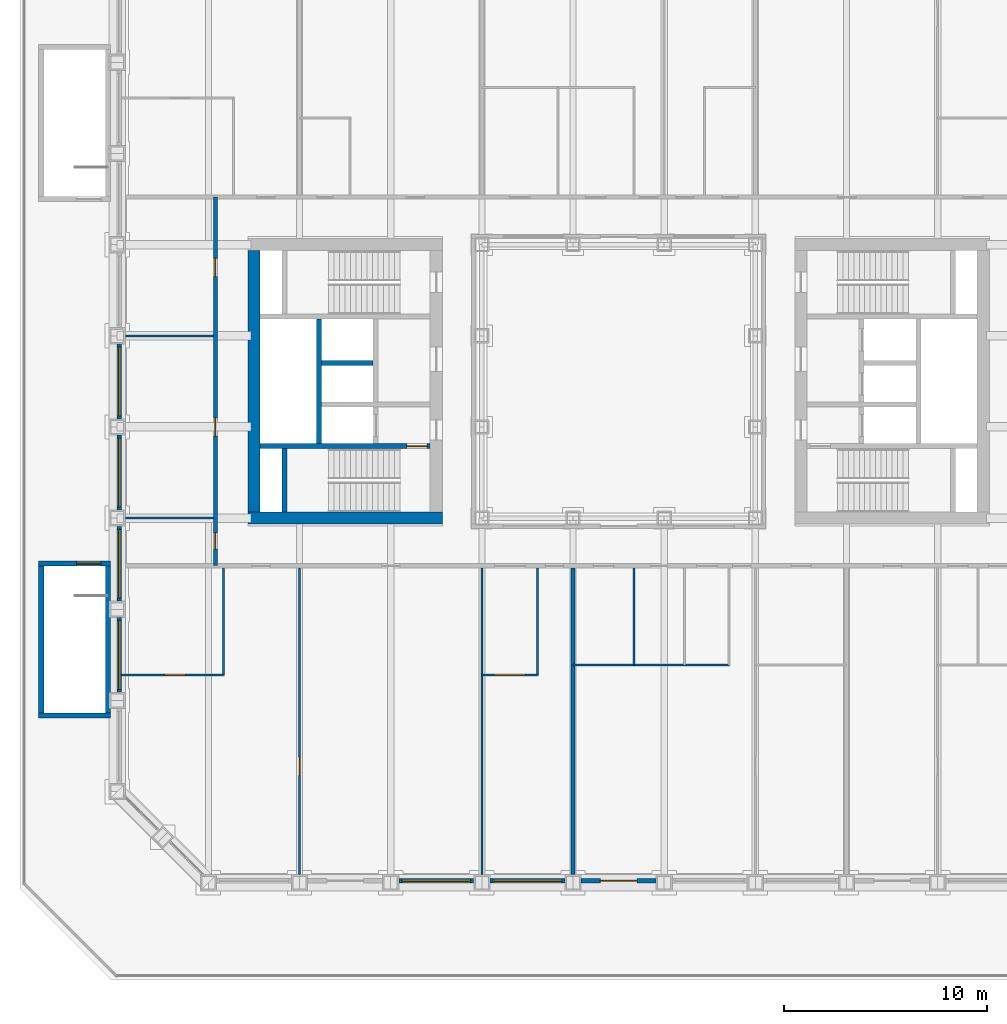
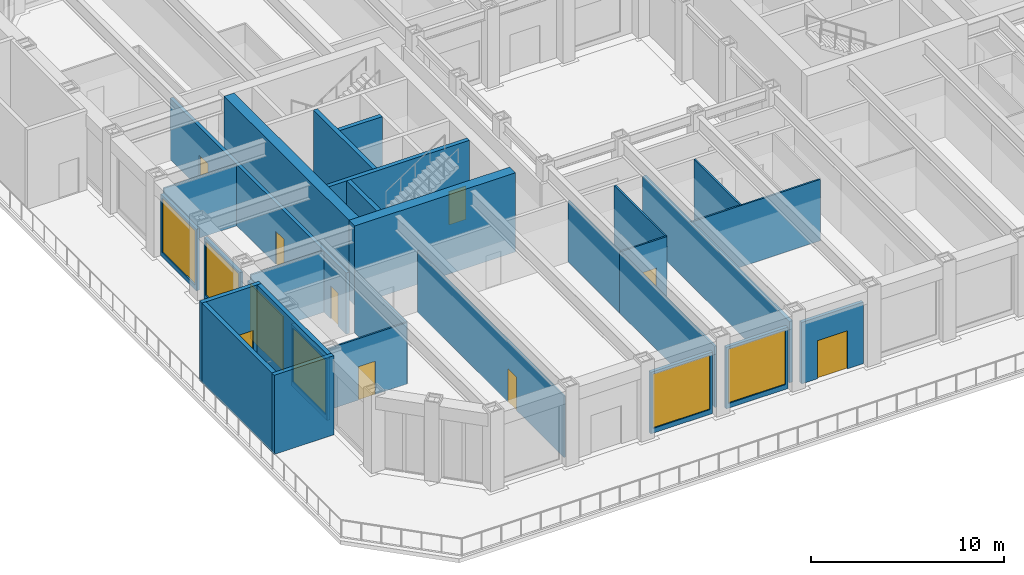
# One storey, part 9 of 18: 30 walls, 9 doors, 6 windows, 15 openings.
"""IFC4 building model written with IfcOpenShell, lengths in metres."""

import ifcopenshell
import ifcopenshell.guid

model = None  # the IFC model being written
_history = None  # IfcOwnerHistory: only IFC2X3 demands one
_inside = {}  # id of a spatial element -> (the spatial element, [elements in it])
_under = {}  # id of a project, library or spatial element -> (it, [spatial elements below it])
_declared = {}  # id of a project -> (the project, [libraries it declares])
_typed = {}  # id of a type object -> (the type object, [elements of that type])
_made_of = {}  # id of a material, layer set ... -> (it, [elements and type objects made of it])


def new_model(schema):
    """Start an empty IFC model of exactly this schema.

    Asked for "IFC4X3", IfcOpenShell would pick the latest addendum, in which some entities
    have other attributes; the version numbers below select the first issue.
    IFC2X3 requires an IfcOwnerHistory on every rooted entity: one is made here for all.
    """
    global model, _history
    if schema == "IFC4X3":
        model = ifcopenshell.file(schema_version=(4, 3, 0, 0))
    else:
        model = ifcopenshell.file(schema=schema)
    _inside.clear()
    _under.clear()
    _declared.clear()
    _typed.clear()
    _made_of.clear()
    _history = None
    if model.schema == "IFC2X3":
        org = make("IfcOrganization", Name="unknown")
        user = make(
            "IfcPersonAndOrganization",
            ThePerson=make("IfcPerson", FamilyName="unknown"),
            TheOrganization=org,
        )
        app = make(
            "IfcApplication",
            ApplicationDeveloper=org,
            Version="unknown",
            ApplicationFullName="unknown",
            ApplicationIdentifier="unknown",
        )
        _history = make(
            "IfcOwnerHistory",
            OwningUser=user,
            OwningApplication=app,
            ChangeAction="ADDED",
            CreationDate=0,
        )
    return model


def make(cls, **values):
    """One entity of the class cls with the attributes given. An attribute that is None is left unset."""
    return model.create_entity(
        cls, **{name: value for name, value in values.items() if value is not None}
    )


def rooted(cls, **values):
    """An entity with a GlobalId (a new one), such as an element, a storey or a relation."""
    return make(cls, GlobalId=ifcopenshell.guid.new(), OwnerHistory=_history, **values)


def si_unit(unit_type, name, prefix=None):
    """IfcSIUnit, for example si_unit("LENGTHUNIT", "METRE", prefix="MILLI")."""
    return make("IfcSIUnit", UnitType=unit_type, Prefix=prefix, Name=name)


def assignment(units):
    """IfcUnitAssignment: the units of a project."""
    return None if units is None else make("IfcUnitAssignment", Units=units)


def point(xyz):
    """IfcCartesianPoint."""
    return None if xyz is None else make("IfcCartesianPoint", Coordinates=xyz)


def direction(xyz):
    """IfcDirection."""
    return None if xyz is None else make("IfcDirection", DirectionRatios=xyz)


def frame(location, z_axis=None, x_axis=None):
    """IfcAxis2Placement3D, a coordinate frame: its origin and axes. An axis left out is left unset."""
    return make(
        "IfcAxis2Placement3D",
        Location=point(location),
        Axis=direction(z_axis),
        RefDirection=direction(x_axis),
    )


def frame_2d(location, x_axis=None):
    """IfcAxis2Placement2D, a coordinate frame in the plane: its origin and x axis."""
    return make(
        "IfcAxis2Placement2D", Location=point(location), RefDirection=direction(x_axis)
    )


def origin():
    """The frame at (0, 0, 0) with its axes left unset."""
    return frame((0.0, 0.0, 0.0))


def place(relative_to, where):
    """IfcLocalPlacement: puts the frame where relative to a parent placement (None: the world)."""
    return make(
        "IfcLocalPlacement", PlacementRelTo=relative_to, RelativePlacement=where
    )


def context(
    kind, dimensions, precision=None, world=None, true_north=None, identifier=None
):
    """IfcGeometricRepresentationContext, for example the 3D "Model" context."""
    return make(
        "IfcGeometricRepresentationContext",
        ContextIdentifier=identifier,
        ContextType=kind,
        CoordinateSpaceDimension=dimensions,
        Precision=precision,
        WorldCoordinateSystem=world,
        TrueNorth=true_north,
    )


def subcontext(parent, identifier, kind, view, scale=None):
    """IfcGeometricRepresentationSubContext, for example "Body" below "Model"."""
    return make(
        "IfcGeometricRepresentationSubContext",
        ContextIdentifier=identifier,
        ContextType=kind,
        ParentContext=parent,
        TargetScale=scale,
        TargetView=view,
    )


def project(units=None, contexts=None):
    """IfcProject with its units and contexts."""
    return rooted(
        "IfcProject",
        Name="project",
        RepresentationContexts=contexts,
        UnitsInContext=assignment(units),
    )


def spatial(cls, under=None, at=None, **own):
    """A site, building, storey or space (cls), placed at a placement, below another one or the project."""
    s = rooted(cls, ObjectPlacement=at, **own)
    if under is not None:
        _under.setdefault(under.id(), (under, []))[1].append(s)
    return s


def profile(cls, at=None, kind="AREA", **sizes):
    """A parametric profile (cls). Its sizes go by their IFC names, for example OverallWidth=200.0."""
    return make(cls, ProfileType=kind, Position=at, **sizes)


def rectangle(**sizes):
    """IfcRectangleProfileDef."""
    return profile("IfcRectangleProfileDef", **sizes)


def extrude(swept, where, along, depth):
    """IfcExtrudedAreaSolid: the profile swept, set in the frame where, extruded along a direction by depth."""
    return make(
        "IfcExtrudedAreaSolid",
        SweptArea=swept,
        Position=where,
        ExtrudedDirection=direction(along),
        Depth=depth,
    )


def shape(context_of_items, identifier, shape_type, items):
    """IfcShapeRepresentation: the items that make up one representation, for example the "Body"."""
    return make(
        "IfcShapeRepresentation",
        ContextOfItems=context_of_items,
        RepresentationIdentifier=identifier,
        RepresentationType=shape_type,
        Items=items,
    )


def material(Name=None, Category=None):
    """IfcMaterial."""
    return make("IfcMaterial", Name=Name, Category=Category)


def layer(
    of_material, thickness, ventilated=None, Name=None, Category=None, Priority=None
):
    """IfcMaterialLayer: one layer of a wall or slab, of a material (None: an air gap)."""
    return make(
        "IfcMaterialLayer",
        Material=of_material,
        LayerThickness=thickness,
        IsVentilated=ventilated,
        Name=Name,
        Category=Category,
        Priority=Priority,
    )


def layer_set(layers, Name=None):
    """IfcMaterialLayerSet."""
    return make("IfcMaterialLayerSet", MaterialLayers=layers, LayerSetName=Name)


def made_of(thing, what):
    """Note that an element or type object is made of a material, layer set ...; save() writes the relation."""
    if what is not None:
        _made_of.setdefault(what.id(), (what, []))[1].append(thing)
    return thing


def type_object(cls, material=None, **own):
    """A type object (cls), such as IfcWallType, which elements share."""
    return made_of(rooted(cls, **own), material)


def element(
    cls,
    number,
    at=None,
    inside=None,
    cuts=None,
    type_object=None,
    material=None,
    context=None,
    identifier="Body",
    shape_type=None,
    held_by="IfcProductDefinitionShape",
    body=None,
    shapes=None,
    **own,
):
    """One element of the class cls, such as IfcWall. Its Tag is "e" and its number.

    at: its placement. inside: the storey or other place that contains it. cuts: it is an
    opening in that element (IfcRelVoidsElement). A single representation is given by context,
    identifier, shape_type and body (its items); several are given by shapes. held_by: the class
    of the entity that holds the representations. save() writes the other relations.
    """
    e = rooted(cls, Tag="e%d" % number, ObjectPlacement=at, **own)
    if body is not None:
        shapes = [shape(context, identifier, shape_type, body)]
    if shapes is not None:
        e.Representation = make(held_by, Representations=shapes)
    if inside is not None:
        _inside.setdefault(inside.id(), (inside, []))[1].append(e)
    if cuts is not None:
        rooted(
            "IfcRelVoidsElement", RelatingBuildingElement=cuts, RelatedOpeningElement=e
        )
    if type_object is not None:
        _typed.setdefault(type_object.id(), (type_object, []))[1].append(e)
    return made_of(e, material)


def fill(opening, filler):
    """IfcRelFillsElement: the door or window that sits in an opening."""
    return rooted(
        "IfcRelFillsElement",
        RelatingOpeningElement=opening,
        RelatedBuildingElement=filler,
    )


def aggregate(whole, parts):
    """IfcRelAggregates: a whole, such as a stair, and the parts it consists of."""
    return rooted("IfcRelAggregates", RelatingObject=whole, RelatedObjects=parts)


def save(model, path):
    """Write the relations noted so far, then the file.

    IfcRelAggregates (storeys below a building ...), IfcRelContainedInSpatialStructure (elements
    in a storey), IfcRelDefinesByType, IfcRelAssociatesMaterial and IfcRelDeclares: one each for
    every whole, place, type object, material and project.
    """
    for whole, parts in _under.values():
        aggregate(whole, parts)
    for where, things in _inside.values():
        rooted(
            "IfcRelContainedInSpatialStructure",
            RelatedElements=things,
            RelatingStructure=where,
        )
    for kind, things in _typed.values():
        rooted("IfcRelDefinesByType", RelatedObjects=things, RelatingType=kind)
    for what, things in _made_of.values():
        rooted("IfcRelAssociatesMaterial", RelatedObjects=things, RelatingMaterial=what)
    for by, libraries in _declared.values():
        rooted("IfcRelDeclares", RelatingContext=by, RelatedDefinitions=libraries)
    model.write(path)


model = new_model("IFC4")

# Units and contexts
model_context = context("Model", 3, precision=1e-05, world=origin(), true_north=direction((0.0, 1.0)))
body_context = subcontext(model_context, "Body", "Model", "MODEL_VIEW")
ifc_project = project(units=[si_unit("LENGTHUNIT", "METRE"), si_unit("AREAUNIT", "SQUARE_METRE"), si_unit("VOLUMEUNIT", "CUBIC_METRE"), si_unit("PLANEANGLEUNIT", "RADIAN"), si_unit("MASSUNIT", "GRAM", prefix="KILO")], contexts=[model_context])

# Site, building, storey
site_placement = place(None, origin())
site = spatial("IfcSite", under=ifc_project, at=site_placement, CompositionType="ELEMENT")
building_placement = place(site_placement, origin())
building = spatial("IfcBuilding", under=site, at=building_placement, Name="Msasa Ring Tower", CompositionType="ELEMENT")
storey_placement = place(building_placement, frame((0.0, 0.0, 21.5)))
storey = spatial("IfcBuildingStorey", under=building, at=storey_placement, Name="L04", CompositionType="ELEMENT", Elevation=21.5)

# Walls
ifc_material_1 = material(Name="Concrete C60/75", Category="concrete")
ifc_layer_1 = layer(ifc_material_1, 0.60009765625)
ifc_layer_set_1 = layer_set([ifc_layer_1], Name="CW1 CORE WALL 600")
wall_type_1 = type_object("IfcWallType", Name="CW1 CORE WALL 600", PredefinedType="SHEAR", material=ifc_layer_set_1)
wall_1_placement = place(storey_placement, frame((-8.699951171875, -6.75, 0.0), z_axis=(0.0, 0.0, 1.0), x_axis=(-1.0, 0.0, 0.0)))
element("IfcWall", 1, at=wall_1_placement, inside=storey, type_object=wall_type_1, Name="W core wall S L04", PredefinedType="SHEAR", context=body_context, shape_type="SweptSolid", body=[
    extrude(rectangle(XDim=9.60009765625, YDim=0.60009765625, at=frame_2d((4.800048828125, 0.0))), origin(), (0.0, 0.0, 1.0), 5.0),
])
wall_2_placement = place(storey_placement, frame((-18.0, -6.449951171875, 0.0), z_axis=(0.0, 0.0, 1.0), x_axis=(0.0, 1.0, 0.0)))
element("IfcWall", 2, at=wall_2_placement, inside=storey, type_object=wall_type_1, Name="W core wall E L04", PredefinedType="SHEAR", context=body_context, shape_type="SweptSolid", body=[
    extrude(rectangle(XDim=12.89990234375, YDim=0.60009765625, at=frame_2d((6.449951171875, 0.0))), origin(), (0.0, 0.0, 1.0), 5.0),
])

# Wall, opening, door
ifc_material_2 = material(Name="Concrete C60/75", Category="concrete")
ifc_layer_2 = layer(ifc_material_2, 0.25)
ifc_layer_set_2 = layer_set([ifc_layer_2], Name="CW4 CORE INNER WALL 250")
wall_type_2 = type_object("IfcWallType", Name="CW4 CORE INNER WALL 250", PredefinedType="SHEAR", material=ifc_layer_set_2)
wall_3_placement = place(storey_placement, frame((-9.300048828125, -3.199951171875, 0.0), z_axis=(0.0, 0.0, 1.0), x_axis=(-1.0, 0.0, 0.0)))
wall_3 = element("IfcWall", 3, at=wall_3_placement, inside=storey, type_object=wall_type_2, Name="W core wall STAIRA L04", PredefinedType="SHEAR", context=body_context, shape_type="SweptSolid", body=[
    extrude(rectangle(XDim=8.39990234375, YDim=0.25, at=frame_2d((4.199951171875, 0.0))), origin(), (0.0, 0.0, 1.0), 5.0),
])
opening_1_placement = place(wall_3_placement, frame((0.14990234375, 0.0, 0.0)))
opening_1 = element("IfcOpeningElement", 4, at=opening_1_placement, cuts=wall_3, Name="Opening L04-030", PredefinedType="OPENING", context=body_context, shape_type="SweptSolid", body=[
    extrude(rectangle(XDim=1.0, YDim=2.10009765625, at=frame_2d((0.5, 1.050048828125))), frame((0.0, 0.135009765625, 0.0), z_axis=(0.0, -1.0, 0.0), x_axis=(1.0, 0.0, 0.0)), (0.0, 0.0, 1.0), 0.27001953125),
])
ifc_material_3 = material(Name="Timber door leaf in a steel frame", Category="steel")
door_type_1 = type_object("IfcDoorType", Name="D6 STAIR DOOR 1000x2100", OperationType="SINGLE_SWING_LEFT", PredefinedType="DOOR", material=ifc_material_3)
door_1_placement = place(opening_1_placement, origin())
door_1 = element("IfcDoor", 5, at=door_1_placement, inside=storey, type_object=door_type_1, Name="Door L04-WSTA", OperationType="SINGLE_SWING_LEFT", OverallHeight=2.10009765625, OverallWidth=1.0, PredefinedType="DOOR", context=body_context, shape_type="SweptSolid", body=[
    extrude(rectangle(XDim=1.0, YDim=2.10009765625, at=frame_2d((0.5, 1.050048828125))), frame((0.0, 0.02490234375, 0.0), z_axis=(0.0, -1.0, 0.0), x_axis=(1.0, 0.0, 0.0)), (0.0, 0.0, 1.0), 0.050048828125),
])
fill(opening_1, door_1)

# Walls
wall_4_placement = place(storey_placement, frame((-16.5, -6.449951171875, 0.0), z_axis=(0.0, 0.0, 1.0), x_axis=(0.0, 1.0, 0.0)))
element("IfcWall", 6, at=wall_4_placement, inside=storey, type_object=wall_type_2, Name="W core wall RISERA L04", PredefinedType="SHEAR", context=body_context, shape_type="SweptSolid", body=[
    extrude(rectangle(XDim=3.125, YDim=0.25, at=frame_2d((1.5625, 0.0))), origin(), (0.0, 0.0, 1.0), 5.0),
])
wall_5_placement = place(storey_placement, frame((-14.800048828125, -3.074951171875, 0.0), z_axis=(0.0, 0.0, 1.0), x_axis=(0.0, 1.0, 0.0)))
element("IfcWall", 7, at=wall_5_placement, inside=storey, type_object=wall_type_2, Name="W core wall SHAFT L04", PredefinedType="SHEAR", context=body_context, shape_type="SweptSolid", body=[
    extrude(rectangle(XDim=6.14990234375, YDim=0.25, at=frame_2d((3.074951171875, 0.0))), origin(), (0.0, 0.0, 1.0), 5.0),
])
wall_6_placement = place(storey_placement, frame((-12.125, 0.89990234375, 0.0), z_axis=(0.0, 0.0, 1.0), x_axis=(-1.0, 0.0, 0.0)))
element("IfcWall", 8, at=wall_6_placement, inside=storey, type_object=wall_type_2, Name="W core wall LIFT1 L04", PredefinedType="SHEAR", context=body_context, shape_type="SweptSolid", body=[
    extrude(rectangle(XDim=2.550048828125, YDim=0.25, at=frame_2d((1.27490234375, 0.0))), origin(), (0.0, 0.0, 1.0), 5.0),
])

# Wall, opening, window
ifc_material_4 = material(Name="Terracotta rainscreen on blockwork", Category="masonry")
ifc_layer_3 = layer(ifc_material_4, 0.199951171875)
ifc_layer_set_3 = layer_set([ifc_layer_3], Name="FW1 TERRACOTTA-LINED INFILL BAY WALL 200")
wall_type_3 = type_object("IfcWallType", Name="FW1 TERRACOTTA-LINED INFILL BAY WALL 200", PredefinedType="SOLIDWALL", material=ifc_layer_set_3)
wall_7_placement = place(storey_placement, frame((-10.844970703125, -24.64990234375, 0.0), z_axis=(0.0, 0.0, 1.0), x_axis=(1.0, 0.0, 0.0)))
wall_7 = element("IfcWall", 9, at=wall_7_placement, inside=storey, type_object=wall_type_3, Name="Infill bay wall S L04 02", PredefinedType="SOLIDWALL", context=body_context, shape_type="SweptSolid", body=[
    extrude(rectangle(XDim=3.68994140625, YDim=0.199951171875, at=frame_2d((1.844970703125, 0.0))), origin(), (0.0, 0.0, 1.0), 3.87890625),
])
opening_2_placement = place(wall_7_placement, frame((0.14501953125, 0.0, 0.300048828125)))
opening_2 = element("IfcOpeningElement", 10, at=opening_2_placement, cuts=wall_7, Name="Opening WN4", PredefinedType="OPENING", context=body_context, shape_type="SweptSolid", body=[
    extrude(rectangle(XDim=3.39990234375, YDim=3.428955078125, at=frame_2d((1.699951171875, 1.71435546875))), frame((0.0, 0.10986328125, 0.0), z_axis=(0.0, -1.0, 0.0), x_axis=(1.0, 0.0, 0.0)), (0.0, 0.0, 1.0), 0.219970703125),
])
ifc_material_5 = material(Name="Aluminium frame with clear glass", Category="aluminium")
window_type = type_object("IfcWindowType", Name="WN4 AMENITY WINDOW 3400x3429", PartitioningType="SINGLE_PANEL", PredefinedType="WINDOW", material=ifc_material_5)
window_1_placement = place(opening_2_placement, origin())
window_1 = element("IfcWindow", 11, at=window_1_placement, inside=storey, type_object=window_type, Name="Window S L04 02", OverallHeight=3.428955078125, OverallWidth=3.39990234375, PartitioningType="SINGLE_PANEL", PredefinedType="WINDOW", context=body_context, shape_type="SweptSolid", body=[
    extrude(rectangle(XDim=3.39990234375, YDim=3.428955078125, at=frame_2d((1.699951171875, 1.71435546875))), frame((0.0, 0.030029296875, 0.0), z_axis=(0.0, -1.0, 0.0), x_axis=(1.0, 0.0, 0.0)), (0.0, 0.0, 1.0), 0.06005859375),
])
fill(opening_2, window_1)

wall_8_placement = place(storey_placement, frame((-6.344970703125, -24.64990234375, 0.0), z_axis=(0.0, 0.0, 1.0), x_axis=(1.0, 0.0, 0.0)))
wall_8 = element("IfcWall", 12, at=wall_8_placement, inside=storey, type_object=wall_type_3, Name="Infill bay wall S L04 03", PredefinedType="SOLIDWALL", context=body_context, shape_type="SweptSolid", body=[
    extrude(rectangle(XDim=3.68994140625, YDim=0.199951171875, at=frame_2d((1.844970703125, 0.0))), origin(), (0.0, 0.0, 1.0), 3.87890625),
])
opening_3_placement = place(wall_8_placement, frame((0.14501953125, 0.0, 0.300048828125)))
opening_3 = element("IfcOpeningElement", 13, at=opening_3_placement, cuts=wall_8, Name="Opening WN4", PredefinedType="OPENING", context=body_context, shape_type="SweptSolid", body=[
    extrude(rectangle(XDim=3.39990234375, YDim=3.428955078125, at=frame_2d((1.699951171875, 1.71435546875))), frame((0.0, 0.10986328125, 0.0), z_axis=(0.0, -1.0, 0.0), x_axis=(1.0, 0.0, 0.0)), (0.0, 0.0, 1.0), 0.219970703125),
])
window_2_placement = place(opening_3_placement, origin())
window_2 = element("IfcWindow", 14, at=window_2_placement, inside=storey, type_object=window_type, Name="Window S L04 03", OverallHeight=3.428955078125, OverallWidth=3.39990234375, PartitioningType="SINGLE_PANEL", PredefinedType="WINDOW", context=body_context, shape_type="SweptSolid", body=[
    extrude(rectangle(XDim=3.39990234375, YDim=3.428955078125, at=frame_2d((1.699951171875, 1.71435546875))), frame((0.0, 0.030029296875, 0.0), z_axis=(0.0, -1.0, 0.0), x_axis=(1.0, 0.0, 0.0)), (0.0, 0.0, 1.0), 0.06005859375),
])
fill(opening_3, window_2)

# Wall, opening, door
wall_9_placement = place(storey_placement, frame((-1.844970703125, -24.64990234375, 0.0), z_axis=(0.0, 0.0, 1.0), x_axis=(1.0, 0.0, 0.0)))
wall_9 = element("IfcWall", 15, at=wall_9_placement, inside=storey, type_object=wall_type_3, Name="Infill bay wall S L04 04", PredefinedType="SOLIDWALL", context=body_context, shape_type="SweptSolid", body=[
    extrude(rectangle(XDim=3.68994140625, YDim=0.199951171875, at=frame_2d((1.844970703125, 0.0))), origin(), (0.0, 0.0, 1.0), 3.87890625),
])
opening_4_placement = place(wall_9_placement, frame((0.945068359375, 0.0, 0.0)))
opening_4 = element("IfcOpeningElement", 16, at=opening_4_placement, cuts=wall_9, Name="Opening L04-055", PredefinedType="OPENING", context=body_context, shape_type="SweptSolid", body=[
    extrude(rectangle(XDim=1.800048828125, YDim=2.39990234375, at=frame_2d((0.89990234375, 1.199951171875))), frame((0.0, 0.10986328125, 0.0), z_axis=(0.0, -1.0, 0.0), x_axis=(1.0, 0.0, 0.0)), (0.0, 0.0, 1.0), 0.219970703125),
])
ifc_material_6 = material(Name="Aluminium frame with clear glass", Category="aluminium")
door_type_2 = type_object("IfcDoorType", Name="ED1 TERRACE DOOR 1800x2400", OperationType="DOUBLE_DOOR_SINGLE_SWING", PredefinedType="DOOR", material=ifc_material_6)
door_2_placement = place(opening_4_placement, origin())
door_2 = element("IfcDoor", 17, at=door_2_placement, inside=storey, type_object=door_type_2, Name="Terrace door S L04", OperationType="DOUBLE_DOOR_SINGLE_SWING", OverallHeight=2.39990234375, OverallWidth=1.800048828125, PredefinedType="DOOR", context=body_context, shape_type="SweptSolid", body=[
    extrude(rectangle(XDim=1.800048828125, YDim=2.39990234375, at=frame_2d((0.89990234375, 1.199951171875))), frame((0.0, 0.02490234375, 0.0), z_axis=(0.0, -1.0, 0.0), x_axis=(1.0, 0.0, 0.0)), (0.0, 0.0, 1.0), 0.050048828125),
])
fill(opening_4, door_2)

# Wall, opening, window
wall_10_placement = place(storey_placement, frame((-24.64990234375, -15.344970703125, 0.0), z_axis=(0.0, 0.0, 1.0), x_axis=(0.0, 1.0, 0.0)))
wall_10 = element("IfcWall", 18, at=wall_10_placement, inside=storey, type_object=wall_type_3, Name="Infill bay wall W L04 34", PredefinedType="SOLIDWALL", context=body_context, shape_type="SweptSolid", body=[
    extrude(rectangle(XDim=3.68994140625, YDim=0.199951171875, at=frame_2d((1.844970703125, 0.0))), origin(), (0.0, 0.0, 1.0), 3.87890625),
])
opening_5_placement = place(wall_10_placement, frame((0.14501953125, 0.0, 0.300048828125)))
opening_5 = element("IfcOpeningElement", 19, at=opening_5_placement, cuts=wall_10, Name="Opening WN4", PredefinedType="OPENING", context=body_context, shape_type="SweptSolid", body=[
    extrude(rectangle(XDim=3.39990234375, YDim=3.428955078125, at=frame_2d((1.699951171875, 1.71435546875))), frame((0.0, 0.10986328125, 0.0), z_axis=(0.0, -1.0, 0.0), x_axis=(1.0, 0.0, 0.0)), (0.0, 0.0, 1.0), 0.219970703125),
])
window_3_placement = place(opening_5_placement, origin())
window_3 = element("IfcWindow", 20, at=window_3_placement, inside=storey, type_object=window_type, Name="Window W L04 34", OverallHeight=3.428955078125, OverallWidth=3.39990234375, PartitioningType="SINGLE_PANEL", PredefinedType="WINDOW", context=body_context, shape_type="SweptSolid", body=[
    extrude(rectangle(XDim=3.39990234375, YDim=3.428955078125, at=frame_2d((1.699951171875, 1.71435546875))), frame((0.0, 0.030029296875, 0.0), z_axis=(0.0, -1.0, 0.0), x_axis=(1.0, 0.0, 0.0)), (0.0, 0.0, 1.0), 0.06005859375),
])
fill(opening_5, window_3)

wall_11_placement = place(storey_placement, frame((-24.64990234375, -10.844970703125, 0.0), z_axis=(0.0, 0.0, 1.0), x_axis=(0.0, 1.0, 0.0)))
wall_11 = element("IfcWall", 21, at=wall_11_placement, inside=storey, type_object=wall_type_3, Name="Infill bay wall W L04 35", PredefinedType="SOLIDWALL", context=body_context, shape_type="SweptSolid", body=[
    extrude(rectangle(XDim=3.68994140625, YDim=0.199951171875, at=frame_2d((1.844970703125, 0.0))), origin(), (0.0, 0.0, 1.0), 3.87890625),
])
opening_6_placement = place(wall_11_placement, frame((0.14501953125, 0.0, 0.300048828125)))
opening_6 = element("IfcOpeningElement", 22, at=opening_6_placement, cuts=wall_11, Name="Opening WN4", PredefinedType="OPENING", context=body_context, shape_type="SweptSolid", body=[
    extrude(rectangle(XDim=3.39990234375, YDim=3.428955078125, at=frame_2d((1.699951171875, 1.71435546875))), frame((0.0, 0.10986328125, 0.0), z_axis=(0.0, -1.0, 0.0), x_axis=(1.0, 0.0, 0.0)), (0.0, 0.0, 1.0), 0.219970703125),
])
window_4_placement = place(opening_6_placement, origin())
window_4 = element("IfcWindow", 23, at=window_4_placement, inside=storey, type_object=window_type, Name="Window W L04 35", OverallHeight=3.428955078125, OverallWidth=3.39990234375, PartitioningType="SINGLE_PANEL", PredefinedType="WINDOW", context=body_context, shape_type="SweptSolid", body=[
    extrude(rectangle(XDim=3.39990234375, YDim=3.428955078125, at=frame_2d((1.699951171875, 1.71435546875))), frame((0.0, 0.030029296875, 0.0), z_axis=(0.0, -1.0, 0.0), x_axis=(1.0, 0.0, 0.0)), (0.0, 0.0, 1.0), 0.06005859375),
])
fill(opening_6, window_4)

wall_12_placement = place(storey_placement, frame((-24.64990234375, -6.344970703125, 0.0), z_axis=(0.0, 0.0, 1.0), x_axis=(0.0, 1.0, 0.0)))
wall_12 = element("IfcWall", 24, at=wall_12_placement, inside=storey, type_object=wall_type_3, Name="Infill bay wall W L04 36", PredefinedType="SOLIDWALL", context=body_context, shape_type="SweptSolid", body=[
    extrude(rectangle(XDim=3.68994140625, YDim=0.199951171875, at=frame_2d((1.844970703125, 0.0))), origin(), (0.0, 0.0, 1.0), 3.87890625),
])
opening_7_placement = place(wall_12_placement, frame((0.14501953125, 0.0, 0.300048828125)))
opening_7 = element("IfcOpeningElement", 25, at=opening_7_placement, cuts=wall_12, Name="Opening WN4", PredefinedType="OPENING", context=body_context, shape_type="SweptSolid", body=[
    extrude(rectangle(XDim=3.39990234375, YDim=3.428955078125, at=frame_2d((1.699951171875, 1.71435546875))), frame((0.0, 0.10986328125, 0.0), z_axis=(0.0, -1.0, 0.0), x_axis=(1.0, 0.0, 0.0)), (0.0, 0.0, 1.0), 0.219970703125),
])
window_5_placement = place(opening_7_placement, origin())
window_5 = element("IfcWindow", 26, at=window_5_placement, inside=storey, type_object=window_type, Name="Window W L04 36", OverallHeight=3.428955078125, OverallWidth=3.39990234375, PartitioningType="SINGLE_PANEL", PredefinedType="WINDOW", context=body_context, shape_type="SweptSolid", body=[
    extrude(rectangle(XDim=3.39990234375, YDim=3.428955078125, at=frame_2d((1.699951171875, 1.71435546875))), frame((0.0, 0.030029296875, 0.0), z_axis=(0.0, -1.0, 0.0), x_axis=(1.0, 0.0, 0.0)), (0.0, 0.0, 1.0), 0.06005859375),
])
fill(opening_7, window_5)

wall_13_placement = place(storey_placement, frame((-24.64990234375, -1.844970703125, 0.0), z_axis=(0.0, 0.0, 1.0), x_axis=(0.0, 1.0, 0.0)))
wall_13 = element("IfcWall", 27, at=wall_13_placement, inside=storey, type_object=wall_type_3, Name="Infill bay wall W L04 37", PredefinedType="SOLIDWALL", context=body_context, shape_type="SweptSolid", body=[
    extrude(rectangle(XDim=3.68994140625, YDim=0.199951171875, at=frame_2d((1.844970703125, 0.0))), origin(), (0.0, 0.0, 1.0), 3.87890625),
])
opening_8_placement = place(wall_13_placement, frame((0.14501953125, 0.0, 0.300048828125)))
opening_8 = element("IfcOpeningElement", 28, at=opening_8_placement, cuts=wall_13, Name="Opening WN4", PredefinedType="OPENING", context=body_context, shape_type="SweptSolid", body=[
    extrude(rectangle(XDim=3.39990234375, YDim=3.428955078125, at=frame_2d((1.699951171875, 1.71435546875))), frame((0.0, 0.10986328125, 0.0), z_axis=(0.0, -1.0, 0.0), x_axis=(1.0, 0.0, 0.0)), (0.0, 0.0, 1.0), 0.219970703125),
])
window_6_placement = place(opening_8_placement, origin())
window_6 = element("IfcWindow", 29, at=window_6_placement, inside=storey, type_object=window_type, Name="Window W L04 37", OverallHeight=3.428955078125, OverallWidth=3.39990234375, PartitioningType="SINGLE_PANEL", PredefinedType="WINDOW", context=body_context, shape_type="SweptSolid", body=[
    extrude(rectangle(XDim=3.39990234375, YDim=3.428955078125, at=frame_2d((1.699951171875, 1.71435546875))), frame((0.0, 0.030029296875, 0.0), z_axis=(0.0, -1.0, 0.0), x_axis=(1.0, 0.0, 0.0)), (0.0, 0.0, 1.0), 0.06005859375),
])
fill(opening_8, window_6)

# Wall, openings, doors
ifc_material_7 = material(Name="Concrete blockwork", Category="masonry")
ifc_layer_4 = layer(ifc_material_7, 0.199951171875)
ifc_layer_set_4 = layer_set([ifc_layer_4], Name="PT1 CORRIDOR WALL 200")
wall_type_4 = type_object("IfcWallType", Name="PT1 CORRIDOR WALL 200", PredefinedType="PARTITIONING", material=ifc_layer_set_4)
wall_14_placement = place(storey_placement, frame((-19.89990234375, -9.10009765625, 0.0), z_axis=(0.0, 0.0, 1.0), x_axis=(0.0, 1.0, 0.0)))
wall_14 = element("IfcWall", 30, at=wall_14_placement, inside=storey, type_object=wall_type_4, Name="Corridor wall L04-STRW", PredefinedType="PARTITIONING", context=body_context, shape_type="SweptSolid", body=[
    extrude(rectangle(XDim=18.2001953125, YDim=0.199951171875, at=frame_2d((9.10009765625, 0.0))), origin(), (0.0, 0.0, 1.0), 3.873291015625),
])
opening_9_placement = place(wall_14_placement, frame((0.824951171875, 0.0, 0.0)))
opening_9 = element("IfcOpeningElement", 31, at=opening_9_placement, cuts=wall_14, Name="Opening L04-034", PredefinedType="OPENING", context=body_context, shape_type="SweptSolid", body=[
    extrude(rectangle(XDim=0.800048828125, YDim=2.10009765625, at=frame_2d((0.39990234375, 1.050048828125))), frame((0.0, 0.10986328125, 0.0), z_axis=(0.0, -1.0, 0.0), x_axis=(1.0, 0.0, 0.0)), (0.0, 0.0, 1.0), 0.219970703125),
])
opening_10_placement = place(wall_14_placement, frame((6.39990234375, 0.0, 0.0)))
opening_10 = element("IfcOpeningElement", 32, at=opening_10_placement, cuts=wall_14, Name="Opening L04-027", PredefinedType="OPENING", context=body_context, shape_type="SweptSolid", body=[
    extrude(rectangle(XDim=0.89990234375, YDim=2.10009765625, at=frame_2d((0.449951171875, 1.050048828125))), frame((0.0, 0.10986328125, 0.0), z_axis=(0.0, -1.0, 0.0), x_axis=(1.0, 0.0, 0.0)), (0.0, 0.0, 1.0), 0.219970703125),
])
opening_11_placement = place(wall_14_placement, frame((14.27490234375, 0.0, 0.0)))
opening_11 = element("IfcOpeningElement", 33, at=opening_11_placement, cuts=wall_14, Name="Opening L04-020", PredefinedType="OPENING", context=body_context, shape_type="SweptSolid", body=[
    extrude(rectangle(XDim=0.89990234375, YDim=2.10009765625, at=frame_2d((0.449951171875, 1.050048828125))), frame((0.0, 0.10986328125, 0.0), z_axis=(0.0, -1.0, 0.0), x_axis=(1.0, 0.0, 0.0)), (0.0, 0.0, 1.0), 0.219970703125),
])
ifc_material_8 = material(Name="Timber door leaf in a steel frame", Category="steel")
door_type_3 = type_object("IfcDoorType", Name="D1 SINGLE DOOR TO CORRIDOR 900x2100", OperationType="SINGLE_SWING_LEFT", PredefinedType="DOOR", material=ifc_material_8)
door_3_placement = place(opening_10_placement, origin())
door_3 = element("IfcDoor", 34, at=door_3_placement, inside=storey, type_object=door_type_3, Name="Door L04-MGC", OperationType="SINGLE_SWING_LEFT", OverallHeight=2.10009765625, OverallWidth=0.89990234375, PredefinedType="DOOR", context=body_context, shape_type="SweptSolid", body=[
    extrude(rectangle(XDim=0.89990234375, YDim=2.10009765625, at=frame_2d((0.449951171875, 1.050048828125))), frame((0.0, 0.02490234375, 0.0), z_axis=(0.0, -1.0, 0.0), x_axis=(1.0, 0.0, 0.0)), (0.0, 0.0, 1.0), 0.050048828125),
])
fill(opening_10, door_3)
door_4_placement = place(opening_11_placement, origin())
door_4 = element("IfcDoor", 35, at=door_4_placement, inside=storey, type_object=door_type_3, Name="Door L04-MGT", OperationType="SINGLE_SWING_RIGHT", OverallHeight=2.10009765625, OverallWidth=0.89990234375, PredefinedType="DOOR", context=body_context, shape_type="SweptSolid", body=[
    extrude(rectangle(XDim=0.89990234375, YDim=2.10009765625, at=frame_2d((0.449951171875, 1.050048828125))), frame((0.0, 0.02490234375, 0.0), z_axis=(0.0, -1.0, 0.0), x_axis=(1.0, 0.0, 0.0)), (0.0, 0.0, 1.0), 0.050048828125),
])
fill(opening_11, door_4)
ifc_material_9 = material(Name="Timber door leaf in a steel frame", Category="steel")
door_type_4 = type_object("IfcDoorType", Name="D11 NARROW STORE DOOR 800x2100", OperationType="SINGLE_SWING_LEFT", PredefinedType="DOOR", material=ifc_material_9)
door_5_placement = place(opening_9_placement, origin())
door_5 = element("IfcDoor", 36, at=door_5_placement, inside=storey, type_object=door_type_4, Name="Door L04-MGS", OperationType="SINGLE_SWING_LEFT", OverallHeight=2.10009765625, OverallWidth=0.800048828125, PredefinedType="DOOR", context=body_context, shape_type="SweptSolid", body=[
    extrude(rectangle(XDim=0.800048828125, YDim=2.10009765625, at=frame_2d((0.39990234375, 1.050048828125))), frame((0.0, 0.02490234375, 0.0), z_axis=(0.0, -1.0, 0.0), x_axis=(1.0, 0.0, 0.0)), (0.0, 0.0, 1.0), 0.050048828125),
])
fill(opening_9, door_5)

# Wall, opening, door
ifc_material_10 = material(Name="Gypsum board on steel studs", Category="steel")
ifc_layer_5 = layer(ifc_material_10, 0.10009765625)
ifc_layer_set_5 = layer_set([ifc_layer_5], Name="PT2 STUD PARTITION 100")
wall_type_5 = type_object("IfcWallType", Name="PT2 STUD PARTITION 100", PredefinedType="PARTITIONING", material=ifc_layer_set_5)
wall_15_placement = place(storey_placement, frame((-24.550048828125, -14.5, 0.0), z_axis=(0.0, 0.0, 1.0), x_axis=(1.0, 0.0, 0.0)))
wall_15 = element("IfcWall", 37, at=wall_15_placement, inside=storey, type_object=wall_type_5, Name="Partition L04-AMS0X0", PredefinedType="PARTITIONING", context=body_context, shape_type="SweptSolid", body=[
    extrude(rectangle(XDim=5.050048828125, YDim=0.10009765625, at=frame_2d((2.52490234375, 0.0))), origin(), (0.0, 0.0, 1.0), 3.873291015625),
])
opening_12_placement = place(wall_15_placement, frame((2.14990234375, 0.0, 0.0)))
opening_12 = element("IfcOpeningElement", 38, at=opening_12_placement, cuts=wall_15, Name="Opening L04-049", PredefinedType="OPENING", context=body_context, shape_type="SweptSolid", body=[
    extrude(rectangle(XDim=1.0, YDim=2.10009765625, at=frame_2d((0.5, 1.050048828125))), frame((0.0, 0.06005859375, 0.0), z_axis=(0.0, -1.0, 0.0), x_axis=(1.0, 0.0, 0.0)), (0.0, 0.0, 1.0), 0.1201171875),
])
ifc_material_11 = material(Name="Timber door leaf in a steel frame", Category="steel")
door_type_5 = type_object("IfcDoorType", Name="D27 INTERNAL STORE DOOR 1000x2100", OperationType="SINGLE_SWING_LEFT", PredefinedType="DOOR", material=ifc_material_11)
door_6_placement = place(opening_12_placement, origin())
door_6 = element("IfcDoor", 39, at=door_6_placement, inside=storey, type_object=door_type_5, Name="Door L04-AMS0B0", OperationType="SINGLE_SWING_RIGHT", OverallHeight=2.10009765625, OverallWidth=1.0, PredefinedType="DOOR", context=body_context, shape_type="SweptSolid", body=[
    extrude(rectangle(XDim=1.0, YDim=2.10009765625, at=frame_2d((0.5, 1.050048828125))), frame((0.0, 0.02490234375, 0.0), z_axis=(0.0, -1.0, 0.0), x_axis=(1.0, 0.0, 0.0)), (0.0, 0.0, 1.0), 0.050048828125),
])
fill(opening_12, door_6)

wall_16_placement = place(storey_placement, frame((-6.75, -14.5, 0.0), z_axis=(0.0, 0.0, 1.0), x_axis=(1.0, 0.0, 0.0)))
wall_16 = element("IfcWall", 40, at=wall_16_placement, inside=storey, type_object=wall_type_5, Name="Partition L04-AMS0X1", PredefinedType="PARTITIONING", context=body_context, shape_type="SweptSolid", body=[
    extrude(rectangle(XDim=2.75, YDim=0.10009765625, at=frame_2d((1.375, 0.0))), origin(), (0.0, 0.0, 1.0), 3.873291015625),
])
opening_13_placement = place(wall_16_placement, frame((0.625, 0.0, 0.0)))
opening_13 = element("IfcOpeningElement", 41, at=opening_13_placement, cuts=wall_16, Name="Opening L04-050", PredefinedType="OPENING", context=body_context, shape_type="SweptSolid", body=[
    extrude(rectangle(XDim=1.5, YDim=2.10009765625, at=frame_2d((0.75, 1.050048828125))), frame((0.0, 0.06005859375, 0.0), z_axis=(0.0, -1.0, 0.0), x_axis=(1.0, 0.0, 0.0)), (0.0, 0.0, 1.0), 0.1201171875),
])
ifc_material_12 = material(Name="Timber door leaf in a steel frame", Category="steel")
door_type_6 = type_object("IfcDoorType", Name="D28 INTERNAL KITCHEN DOUBLE SWING DOOR 1500x2100", OperationType="SINGLE_SWING_LEFT", PredefinedType="DOOR", material=ifc_material_12)
door_7_placement = place(opening_13_placement, origin())
door_7 = element("IfcDoor", 42, at=door_7_placement, inside=storey, type_object=door_type_6, Name="Door L04-AMS0B1", OperationType="SINGLE_SWING_LEFT", OverallHeight=2.10009765625, OverallWidth=1.5, PredefinedType="DOOR", context=body_context, shape_type="SweptSolid", body=[
    extrude(rectangle(XDim=1.5, YDim=2.10009765625, at=frame_2d((0.75, 1.050048828125))), frame((0.0, 0.02490234375, 0.0), z_axis=(0.0, -1.0, 0.0), x_axis=(1.0, 0.0, 0.0)), (0.0, 0.0, 1.0), 0.050048828125),
])
fill(opening_13, door_7)

# Walls
for number, where, z_axis, x_axis, name in (
    (43, (-19.5, -14.5, 0.0), (0.0, 0.0, 1.0), (0.0, 1.0, 0.0), "Partition L04-AMS0Y0"),
    (44, (-6.75, -14.5, 0.0), (0.0, 0.0, 1.0), (0.0, 1.0, 0.0), "Partition L04-AMS0Y1"),
    (45, (-4.0, -14.5, 0.0), (0.0, 0.0, 1.0), (0.0, 1.0, 0.0), "Partition L04-AMS0Y2"),
):
    element("IfcWall", number, at=place(storey_placement, frame(where, z_axis=z_axis, x_axis=x_axis)), inside=storey, type_object=wall_type_5, Name=name, PredefinedType="PARTITIONING", context=body_context, shape_type="SweptSolid", body=[
        extrude(rectangle(XDim=5.300048828125, YDim=0.10009765625, at=frame_2d((2.64990234375, 0.0))), origin(), (0.0, 0.0, 1.0), 3.873291015625),
    ])

# Wall, opening, door
wall_17_placement = place(storey_placement, frame((-15.75, -24.35009765625, 0.0), z_axis=(0.0, 0.0, 1.0), x_axis=(0.0, 1.0, 0.0)))
wall_17 = element("IfcWall", 46, at=wall_17_placement, inside=storey, type_object=wall_type_5, Name="Partition L04-AMS0S0", PredefinedType="PARTITIONING", context=body_context, shape_type="SweptSolid", body=[
    extrude(rectangle(XDim=15.150146484375, YDim=0.10009765625, at=frame_2d((7.5751953125, 0.0))), origin(), (0.0, 0.0, 1.0), 3.873291015625),
])
opening_14_placement = place(wall_17_placement, frame((4.89990234375, 0.0, 0.0)))
opening_14 = element("IfcOpeningElement", 47, at=opening_14_placement, cuts=wall_17, Name="Opening L04-051", PredefinedType="OPENING", context=body_context, shape_type="SweptSolid", body=[
    extrude(rectangle(XDim=0.89990234375, YDim=2.10009765625, at=frame_2d((0.449951171875, 1.050048828125))), frame((0.0, 0.06005859375, 0.0), z_axis=(0.0, -1.0, 0.0), x_axis=(1.0, 0.0, 0.0)), (0.0, 0.0, 1.0), 0.1201171875),
])
ifc_material_13 = material(Name="Timber door leaf in a steel frame", Category="steel")
door_type_7 = type_object("IfcDoorType", Name="D31 INTERNAL ROOM DOOR 900x2100", OperationType="SINGLE_SWING_LEFT", PredefinedType="DOOR", material=ifc_material_13)
door_8_placement = place(opening_14_placement, origin())
door_8 = element("IfcDoor", 48, at=door_8_placement, inside=storey, type_object=door_type_7, Name="Door L04-AMS0L01", OperationType="SINGLE_SWING_LEFT", OverallHeight=2.10009765625, OverallWidth=0.89990234375, PredefinedType="DOOR", context=body_context, shape_type="SweptSolid", body=[
    extrude(rectangle(XDim=0.89990234375, YDim=2.10009765625, at=frame_2d((0.449951171875, 1.050048828125))), frame((0.0, 0.02490234375, 0.0), z_axis=(0.0, -1.0, 0.0), x_axis=(1.0, 0.0, 0.0)), (0.0, 0.0, 1.0), 0.050048828125),
])
fill(opening_14, door_8)

# Walls
wall_18_placement = place(storey_placement, frame((-6.75, -24.35009765625, 0.0), z_axis=(0.0, 0.0, 1.0), x_axis=(0.0, 1.0, 0.0)))
element("IfcWall", 49, at=wall_18_placement, inside=storey, type_object=wall_type_5, Name="Partition L04-AMS0S1", PredefinedType="PARTITIONING", context=body_context, shape_type="SweptSolid", body=[
    extrude(rectangle(XDim=9.85009765625, YDim=0.10009765625, at=frame_2d((4.925048828125, 0.0))), origin(), (0.0, 0.0, 1.0), 3.873291015625),
])
wall_19_placement = place(storey_placement, frame((-2.25, -14.0, 0.0), z_axis=(0.0, 0.0, 1.0), x_axis=(1.0, 0.0, 0.0)))
element("IfcWall", 50, at=wall_19_placement, inside=storey, type_object=wall_type_5, Name="Partition L04-AMS1X0", PredefinedType="PARTITIONING", context=body_context, shape_type="SweptSolid", body=[
    extrude(rectangle(XDim=7.699951171875, YDim=0.10009765625, at=frame_2d((3.85009765625, 0.0))), origin(), (0.0, 0.0, 1.0), 3.873291015625),
])
wall_20_placement = place(storey_placement, frame((0.75, -14.0, 0.0), z_axis=(0.0, 0.0, 1.0), x_axis=(0.0, 1.0, 0.0)))
element("IfcWall", 51, at=wall_20_placement, inside=storey, type_object=wall_type_5, Name="Partition L04-AMS1Y0", PredefinedType="PARTITIONING", context=body_context, shape_type="SweptSolid", body=[
    extrude(rectangle(XDim=4.800048828125, YDim=0.10009765625, at=frame_2d((2.39990234375, 0.0))), origin(), (0.0, 0.0, 1.0), 3.873291015625),
])
for number, where, z_axis, x_axis, name in (
    (52, (-24.35009765625, -6.75, 0.0), (0.0, 0.0, 1.0), (1.0, 0.0, 0.0), "Partition L04-MGWX0"),
    (53, (-24.35009765625, 2.25, 0.0), (0.0, 0.0, 1.0), (1.0, 0.0, 0.0), "Partition L04-MGWX1"),
):
    element("IfcWall", number, at=place(storey_placement, frame(where, z_axis=z_axis, x_axis=x_axis)), inside=storey, type_object=wall_type_5, Name=name, PredefinedType="PARTITIONING", context=body_context, shape_type="SweptSolid", body=[
        extrude(rectangle(XDim=4.35009765625, YDim=0.10009765625, at=frame_2d((2.175048828125, 0.0))), origin(), (0.0, 0.0, 1.0), 3.873291015625),
    ])
ifc_material_14 = material(Name="Dense concrete blockwork, plastered both faces", Category="masonry")
ifc_layer_6 = layer(ifc_material_14, 0.25)
ifc_layer_set_6 = layer_set([ifc_layer_6], Name="PT3 APARTMENT SEPARATING WALL 250")
wall_type_6 = type_object("IfcWallType", Name="PT3 APARTMENT SEPARATING WALL 250", PredefinedType="PARTITIONING", material=ifc_layer_set_6)
wall_21_placement = place(storey_placement, frame((-2.25, -24.35009765625, 0.0), z_axis=(0.0, 0.0, 1.0), x_axis=(0.0, 1.0, 0.0)))
element("IfcWall", 54, at=wall_21_placement, inside=storey, type_object=wall_type_6, Name="Party wall L04-PWS-2.25", PredefinedType="PARTITIONING", context=body_context, shape_type="SweptSolid", body=[
    extrude(rectangle(XDim=15.150146484375, YDim=0.199951171875, at=frame_2d((7.5751953125, 0.0))), origin(), (0.0, 0.0, 1.0), 3.873291015625),
])
ifc_material_15 = material(Name="Concrete C60/75", Category="concrete")
ifc_layer_7 = layer(ifc_material_15, 0.25)
ifc_layer_set_7 = layer_set([ifc_layer_7], Name="SW1 STAIR WALL 250")
wall_type_7 = type_object("IfcWallType", Name="SW1 STAIR WALL 250", PredefinedType="SHEAR", material=ifc_layer_set_7)
wall_22_placement = place(storey_placement, frame((-28.625, -16.5, 0.0), z_axis=(0.0, 0.0, 1.0), x_axis=(1.0, 0.0, 0.0)))
element("IfcWall", 55, at=wall_22_placement, inside=storey, type_object=wall_type_7, Name="Podium stair WS wall S L04", PredefinedType="SHEAR", context=body_context, shape_type="SweptSolid", body=[
    extrude(rectangle(XDim=3.550048828125, YDim=0.25, at=frame_2d((1.77490234375, 0.0))), origin(), (0.0, 0.0, 1.0), 5.0),
])

# Wall, opening, door
wall_23_placement = place(storey_placement, frame((-28.625, -9.0, 0.0), z_axis=(0.0, 0.0, 1.0), x_axis=(1.0, 0.0, 0.0)))
wall_23 = element("IfcWall", 56, at=wall_23_placement, inside=storey, type_object=wall_type_7, Name="Podium stair WS wall N L04", PredefinedType="SHEAR", context=body_context, shape_type="SweptSolid", body=[
    extrude(rectangle(XDim=3.550048828125, YDim=0.25, at=frame_2d((1.77490234375, 0.0))), origin(), (0.0, 0.0, 1.0), 5.0),
])
opening_15_placement = place(wall_23_placement, frame((1.875, 0.0, 0.0)))
opening_15 = element("IfcOpeningElement", 57, at=opening_15_placement, cuts=wall_23, Name="Opening L04-035", PredefinedType="OPENING", context=body_context, shape_type="SweptSolid", body=[
    extrude(rectangle(XDim=1.199951171875, YDim=2.199951171875, at=frame_2d((0.60009765625, 1.10009765625))), frame((0.0, 0.135009765625, 0.0), z_axis=(0.0, -1.0, 0.0), x_axis=(1.0, 0.0, 0.0)), (0.0, 0.0, 1.0), 0.27001953125),
])
ifc_material_16 = material(Name="Aluminium frame with clear glass", Category="aluminium")
door_type_8 = type_object("IfcDoorType", Name="ED10 STAIR TERRACE DOOR 1200x2200", OperationType="SINGLE_SWING_LEFT", PredefinedType="DOOR", material=ifc_material_16)
door_9_placement = place(opening_15_placement, origin())
door_9 = element("IfcDoor", 58, at=door_9_placement, inside=storey, type_object=door_type_8, Name="Stair head-house door PWS", OperationType="SINGLE_SWING_RIGHT", OverallHeight=2.199951171875, OverallWidth=1.199951171875, PredefinedType="DOOR", context=body_context, shape_type="SweptSolid", body=[
    extrude(rectangle(XDim=1.199951171875, YDim=2.199951171875, at=frame_2d((0.60009765625, 1.10009765625))), frame((0.0, 0.02490234375, 0.0), z_axis=(0.0, -1.0, 0.0), x_axis=(1.0, 0.0, 0.0)), (0.0, 0.0, 1.0), 0.050048828125),
])
fill(opening_15, door_9)

# Walls
for number, where, z_axis, x_axis, name in (
    (59, (-28.5, -16.375, 0.0), (0.0, 0.0, 1.0), (0.0, 1.0, 0.0), "Podium stair WS wall W L04"),
    (60, (-25.199951171875, -16.375, 0.0), (0.0, 0.0, 1.0), (0.0, 1.0, 0.0), "Podium stair WS wall E L04"),
):
    element("IfcWall", number, at=place(storey_placement, frame(where, z_axis=z_axis, x_axis=x_axis)), inside=storey, type_object=wall_type_7, Name=name, PredefinedType="SHEAR", context=body_context, shape_type="SweptSolid", body=[
        extrude(rectangle(XDim=7.25, YDim=0.25, at=frame_2d((3.625, 0.0))), origin(), (0.0, 0.0, 1.0), 5.0),
    ])

save(model, "model.ifc")
